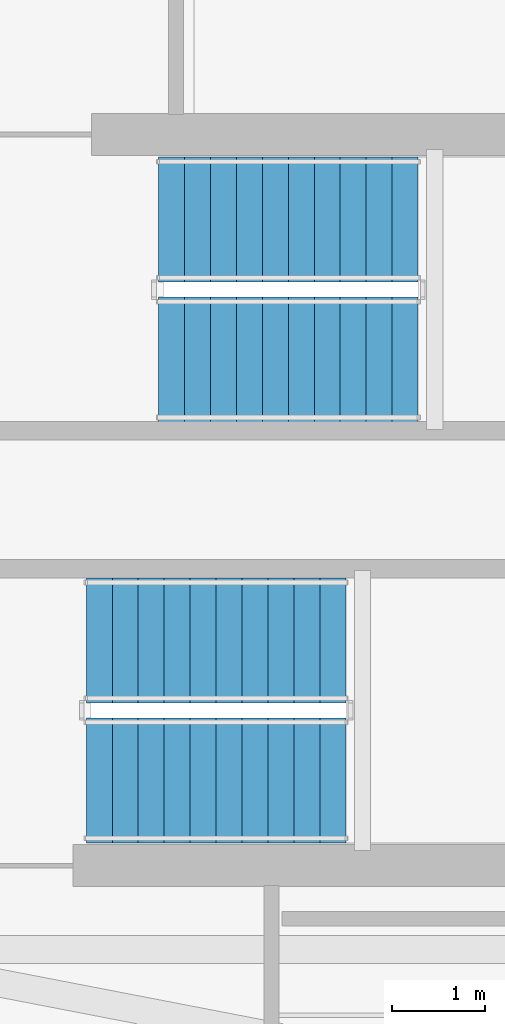
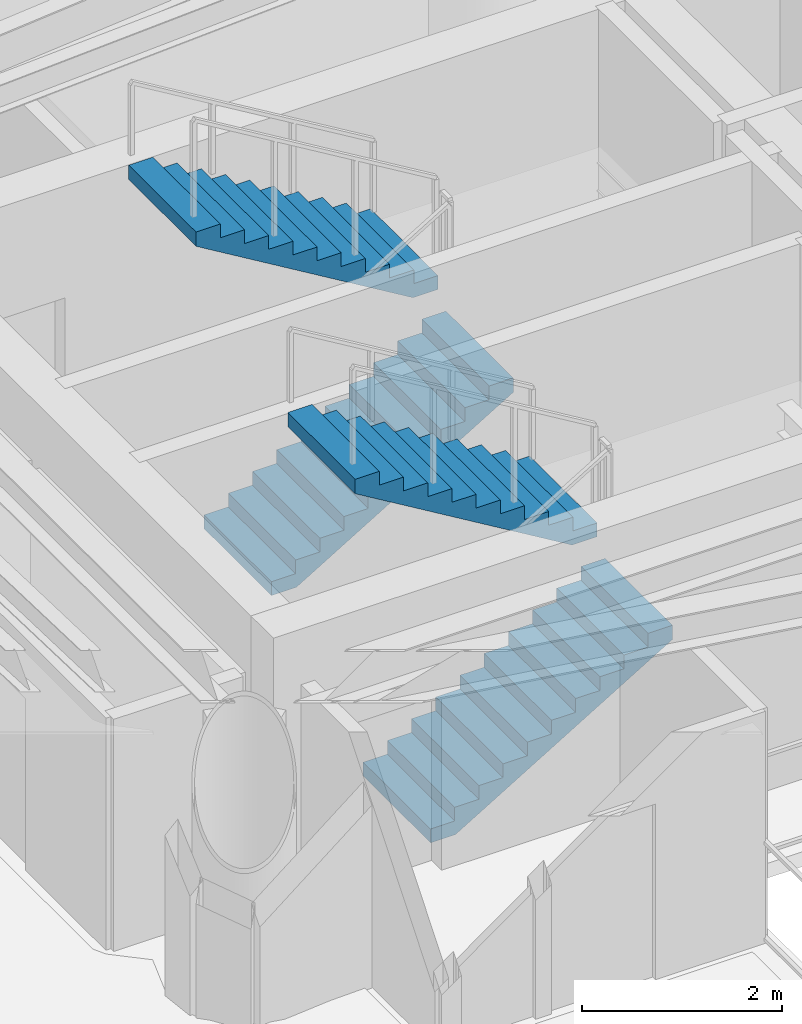
# One storey, part 18 of 21: 4 stair flights, 2 elements without a shape of their own.
"""IFC4 building model written with IfcOpenShell, lengths in metres."""

from ifc_helpers import new_model, si_unit, direction, frame, origin, place, context, subcontext, project, spatial, polyline, outline, extrude, material, type_object, element, aggregate, save


model = new_model("IFC4")

# Units and contexts
model_context = context("Model", 3, precision=1e-05, world=origin(), true_north=direction((0.0, 1.0)))
body_context = subcontext(model_context, "Body", "Model", "MODEL_VIEW")
ifc_project = project(units=[si_unit("LENGTHUNIT", "METRE"), si_unit("AREAUNIT", "SQUARE_METRE"), si_unit("VOLUMEUNIT", "CUBIC_METRE"), si_unit("PLANEANGLEUNIT", "RADIAN"), si_unit("MASSUNIT", "GRAM", prefix="KILO")], contexts=[model_context])

# Site, building, storey
site_placement = place(None, origin())
site = spatial("IfcSite", under=ifc_project, at=site_placement, CompositionType="ELEMENT")
building_placement = place(site_placement, origin())
building = spatial("IfcBuilding", under=site, at=building_placement, Name="Qianvela Tower", CompositionType="ELEMENT")
storey_placement = place(building_placement, frame((0.0, 0.0, 250.10009765625)))
storey = spatial("IfcBuildingStorey", under=building, at=storey_placement, Name="L64", CompositionType="ELEMENT", Elevation=250.10009765625)

# Stair, stair flights
ifc_material_1 = material(Name="Concrete C40", Category="concrete")
stair_type = type_object("IfcStairType", Name="ST-DOGLEG-1350-R168-N22", PredefinedType="HALF_TURN_STAIR", material=ifc_material_1)
stair_1_placement = place(storey_placement, origin())
stair_1 = element("IfcStair", 1, at=stair_1_placement, inside=storey, type_object=stair_type, Name="L64 Smoke-Proof Core Stair ST-1", PredefinedType="HALF_TURN_STAIR")
ifc_material_2 = material(Name="Concrete C40", Category="concrete")
stair_flight_type = type_object("IfcStairFlightType", Name="STF-STRAIGHT-R168-P11", PredefinedType="STRAIGHT", material=ifc_material_2)
stair_flight_1_placement = place(storey_placement, frame((32.199951171875, 30.215087890625, 0.0), z_axis=(0.0, 0.0, 1.0), x_axis=(1.0, 0.0, 0.0)))
stair_flight_1 = element("IfcStairFlight", 2, at=stair_flight_1_placement, type_object=stair_flight_type, Name="ST-1 flight 1", NumberOfRisers=11, NumberOfTreads=10, PredefinedType="STRAIGHT", RiserHeight=0.168181818, TreadLength=0.28, context=body_context, shape_type="SweptSolid", body=[
    extrude(outline(polyline([(0.0, 0.0), (0.0, 0.168212890625), (0.280029296875, 0.168212890625), (0.280029296875, 0.33642578125), (0.56005859375, 0.33642578125), (0.56005859375, 0.504638671875), (0.840087890625, 0.504638671875), (0.840087890625, 0.672607421875), (1.1201171875, 0.672607421875), (1.1201171875, 0.8408203125), (1.39990234375, 0.8408203125), (1.39990234375, 1.009033203125), (1.679931640625, 1.009033203125), (1.679931640625, 1.17724609375), (1.9599609375, 1.17724609375), (1.9599609375, 1.345458984375), (2.239990234375, 1.345458984375), (2.239990234375, 1.513671875), (2.52001953125, 1.513671875), (2.52001953125, 1.681884765625), (2.800048828125, 1.681884765625), (2.800048828125, 1.85009765625), (2.800048828125, 1.5068359375), (0.291015625, 0.0), (0.0, 0.0)])), frame((0.0, 0.675048828125, 0.0), z_axis=(0.0, -1.0, 0.0), x_axis=(1.0, 0.0, 0.0)), (0.0, 0.0, 1.0), 1.35009765625),
])
stair_flight_2_placement = place(storey_placement, frame((35.0, 31.72509765625, 1.849853515625), z_axis=(0.0, 0.0, 1.0), x_axis=(-1.0, 0.0, 0.0)))
stair_flight_2 = element("IfcStairFlight", 3, at=stair_flight_2_placement, type_object=stair_flight_type, Name="ST-1 flight 2", NumberOfRisers=11, NumberOfTreads=10, PredefinedType="STRAIGHT", RiserHeight=0.168181818, TreadLength=0.28, context=body_context, shape_type="SweptSolid", body=[
    extrude(outline(polyline([(0.0, 0.0), (0.0, 0.168212890625), (0.280029296875, 0.168212890625), (0.280029296875, 0.33642578125), (0.56005859375, 0.33642578125), (0.56005859375, 0.504638671875), (0.840087890625, 0.504638671875), (0.840087890625, 0.672607421875), (1.1201171875, 0.672607421875), (1.1201171875, 0.8408203125), (1.39990234375, 0.8408203125), (1.39990234375, 1.009033203125), (1.679931640625, 1.009033203125), (1.679931640625, 1.17724609375), (1.9599609375, 1.17724609375), (1.9599609375, 1.345458984375), (2.239990234375, 1.345458984375), (2.239990234375, 1.513671875), (2.52001953125, 1.513671875), (2.52001953125, 1.681884765625), (2.800048828125, 1.681884765625), (2.800048828125, 1.85009765625), (2.800048828125, 1.5068359375), (0.291015625, 0.0), (0.0, 0.0)])), frame((0.0, 0.675048828125, 0.0), z_axis=(0.0, -1.0, 0.0), x_axis=(1.0, 0.0, 0.0)), (0.0, 0.0, 1.0), 1.35009765625),
])
aggregate(stair_1, [stair_flight_1, stair_flight_2])

stair_2_placement = place(storey_placement, origin())
stair_2 = element("IfcStair", 4, at=stair_2_placement, inside=storey, type_object=stair_type, Name="L64 Smoke-Proof Core Stair ST-2", PredefinedType="HALF_TURN_STAIR")
stair_flight_3_placement = place(storey_placement, frame((31.419921875, 25.675048828125, 0.0), z_axis=(0.0, 0.0, 1.0), x_axis=(1.0, 0.0, 0.0)))
stair_flight_3 = element("IfcStairFlight", 5, at=stair_flight_3_placement, type_object=stair_flight_type, Name="ST-2 flight 1", NumberOfRisers=11, NumberOfTreads=10, PredefinedType="STRAIGHT", RiserHeight=0.168181818, TreadLength=0.28, context=body_context, shape_type="SweptSolid", body=[
    extrude(outline(polyline([(0.0, 0.0), (0.0, 0.168212890625), (0.280029296875, 0.168212890625), (0.280029296875, 0.33642578125), (0.56005859375, 0.33642578125), (0.56005859375, 0.504638671875), (0.840087890625, 0.504638671875), (0.840087890625, 0.672607421875), (1.1201171875, 0.672607421875), (1.1201171875, 0.8408203125), (1.39990234375, 0.8408203125), (1.39990234375, 1.009033203125), (1.679931640625, 1.009033203125), (1.679931640625, 1.17724609375), (1.9599609375, 1.17724609375), (1.9599609375, 1.345458984375), (2.239990234375, 1.345458984375), (2.239990234375, 1.513671875), (2.52001953125, 1.513671875), (2.52001953125, 1.681884765625), (2.800048828125, 1.681884765625), (2.800048828125, 1.85009765625), (2.800048828125, 1.5068359375), (0.291015625, 0.0), (0.0, 0.0)])), frame((0.0, 0.675048828125, 0.0), z_axis=(0.0, -1.0, 0.0), x_axis=(1.0, 0.0, 0.0)), (0.0, 0.0, 1.0), 1.35009765625),
])
stair_flight_4_placement = place(storey_placement, frame((34.219970703125, 27.18505859375, 1.849853515625), z_axis=(0.0, 0.0, 1.0), x_axis=(-1.0, 0.0, 0.0)))
stair_flight_4 = element("IfcStairFlight", 6, at=stair_flight_4_placement, type_object=stair_flight_type, Name="ST-2 flight 2", NumberOfRisers=11, NumberOfTreads=10, PredefinedType="STRAIGHT", RiserHeight=0.168181818, TreadLength=0.28, context=body_context, shape_type="SweptSolid", body=[
    extrude(outline(polyline([(0.0, 0.0), (0.0, 0.168212890625), (0.280029296875, 0.168212890625), (0.280029296875, 0.33642578125), (0.56005859375, 0.33642578125), (0.56005859375, 0.504638671875), (0.840087890625, 0.504638671875), (0.840087890625, 0.672607421875), (1.1201171875, 0.672607421875), (1.1201171875, 0.8408203125), (1.39990234375, 0.8408203125), (1.39990234375, 1.009033203125), (1.679931640625, 1.009033203125), (1.679931640625, 1.17724609375), (1.9599609375, 1.17724609375), (1.9599609375, 1.345458984375), (2.239990234375, 1.345458984375), (2.239990234375, 1.513671875), (2.52001953125, 1.513671875), (2.52001953125, 1.681884765625), (2.800048828125, 1.681884765625), (2.800048828125, 1.85009765625), (2.800048828125, 1.5068359375), (0.291015625, 0.0), (0.0, 0.0)])), frame((0.0, 0.675048828125, 0.0), z_axis=(0.0, -1.0, 0.0), x_axis=(1.0, 0.0, 0.0)), (0.0, 0.0, 1.0), 1.35009765625),
])
aggregate(stair_2, [stair_flight_3, stair_flight_4])

save(model, "model.ifc")
